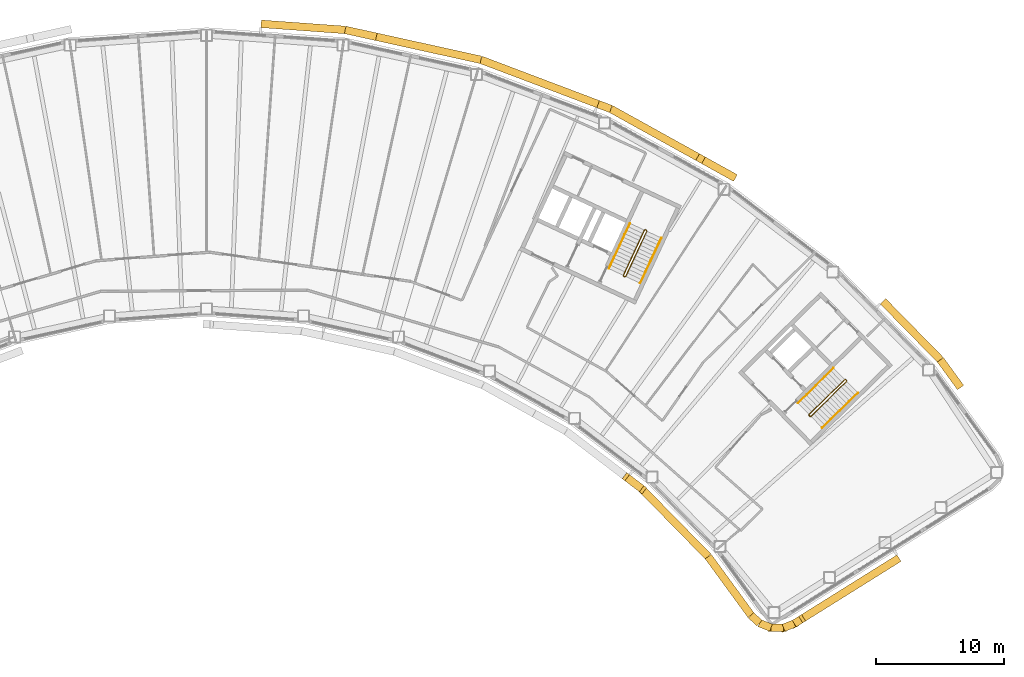
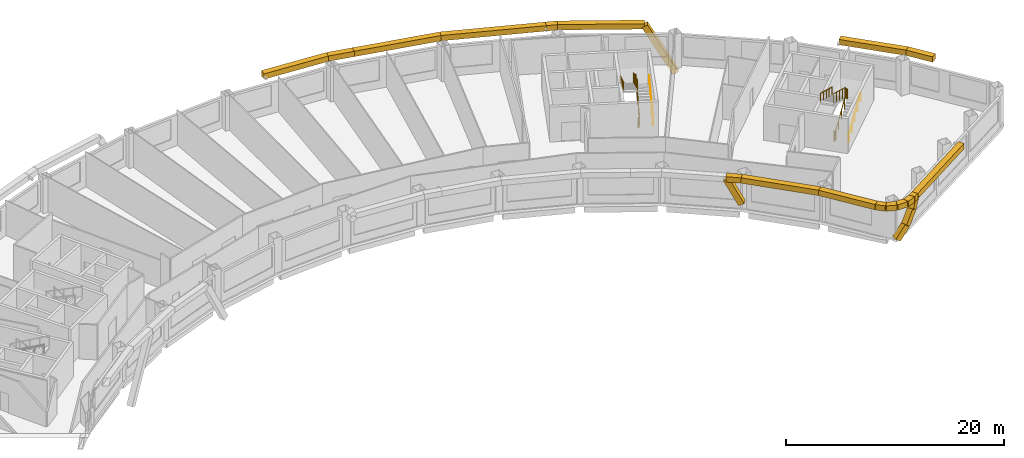
# One storey, part 15 of 16: 22 coverings, 6 railings.
"""IFC4 building model written with IfcOpenShell, lengths in metres."""

from ifc_helpers import new_model, si_unit, direction, frame, origin, origin_2d, place, context, subcontext, project, spatial, rectangle, circle, extrude, material, material_profile, profile_set, type_object, element, save


model = new_model("IFC4")

# Units and contexts
model_context = context("Model", 3, precision=1e-05, world=origin(), true_north=direction((0.0, 1.0)))
body_context = subcontext(model_context, "Body", "Model", "MODEL_VIEW")
ifc_project = project(units=[si_unit("LENGTHUNIT", "METRE"), si_unit("AREAUNIT", "SQUARE_METRE"), si_unit("VOLUMEUNIT", "CUBIC_METRE"), si_unit("PLANEANGLEUNIT", "RADIAN"), si_unit("MASSUNIT", "GRAM", prefix="KILO")], contexts=[model_context])

# Site, building, storey
site_placement = place(None, origin())
site = spatial("IfcSite", under=ifc_project, at=site_placement, CompositionType="ELEMENT")
building_placement = place(site_placement, origin())
building = spatial("IfcBuilding", under=site, at=building_placement, Name="Tuul Gate Civic Tower", CompositionType="ELEMENT")
storey_placement = place(building_placement, frame((0.0, 0.0, 184.699951171875)))
storey = spatial("IfcBuildingStorey", under=building, at=storey_placement, Name="Level 42", CompositionType="ELEMENT", Elevation=184.699951171875)

# Railings
ifc_material_1 = material(Name="Painted steel", Category="steel")
railing_type_1 = type_object("IfcRailingType", Name="Stair guard", PredefinedType="GUARDRAIL", material=ifc_material_1)
railing_1_placement = place(storey_placement, frame((48.10546875, -16.134765625, 0.0)))
element("IfcRailing", 1, at=railing_1_placement, inside=storey, type_object=railing_type_1, Name="Level 42 ST-3 stair guard 1", PredefinedType="GUARDRAIL", context=body_context, shape_type="SweptSolid", body=[
    extrude(circle(Radius=0.02392578125, at=origin_2d()), frame((0.0, 0.0, 1.076171875), z_axis=(-0.698506948293, 0.715603272202, 0.0), x_axis=(-0.715603272202, -0.698506948293, 0.0)), (0.0, 0.0, 1.0), 0.099853515625),
    extrude(circle(Radius=0.02392578125, at=origin_2d()), frame((-0.06982421875, 0.071533203125, 1.076171875), z_axis=(0.644948864628, -0.331432055434, 0.688617277337), x_axis=(0.457068866502, 0.889431307788, 0.0)), (0.0, 0.0, 1.0), 0.218017578125),
    extrude(circle(Radius=0.02392578125, at=origin_2d()), frame((0.07080078125, -0.000732421875, 1.22607421875), z_axis=(0.638731261263, 0.626133563701, 0.447190268558), x_axis=(-0.700029477518, 0.714113947914, 0.0)), (0.0, 0.0, 1.0), 4.3603515625),
    extrude(circle(Radius=0.02392578125, at=origin_2d()), frame((2.85595703125, 2.7294921875, 3.17626953125), z_axis=(0.010380063588, 0.999946125689, 0.0), x_axis=(-0.999946125689, 0.010380063588, 0.0)), (0.0, 0.0, 1.0), 0.070556640625),
    extrude(circle(Radius=0.02392578125, at=origin_2d()), frame((2.856689453125, 2.800048828125, 3.17626953125), z_axis=(-0.699754442181, 0.714383454909, 0.0), x_axis=(-0.714383454909, -0.699754442181, 0.0)), (0.0, 0.0, 1.0), 0.10009765625),
    extrude(circle(Radius=0.02392578125, at=origin_2d()), frame((2.78662109375, 2.87158203125, 3.17626953125), z_axis=(-0.427069033481, 0.004417955519, 0.904208229508), x_axis=(-0.010344274102, -0.999946496565, 0.0)), (0.0, 0.0, 1.0), 0.165771484375),
    extrude(circle(Radius=0.02392578125, at=origin_2d()), frame((2.7158203125, 2.872314453125, 3.326171875), z_axis=(-0.638731261263, -0.626133563701, 0.447190268558), x_axis=(0.700029477518, -0.714113947914, 0.0)), (0.0, 0.0, 1.0), 4.3603515625),
    extrude(circle(Radius=0.02099609375, at=origin_2d()), origin(), (0.0, 0.0, 1.0), 1.052001953125),
    extrude(circle(Radius=0.02099609375, at=origin_2d()), frame((-0.06982421875, 0.071533203125, 0.0)), (0.0, 0.0, 1.0), 1.052001953125),
    extrude(circle(Radius=0.02099609375, at=origin_2d()), frame((0.07080078125, -0.000732421875, 0.150146484375)), (0.0, 0.0, 1.0), 1.052001953125),
    extrude(circle(Radius=0.02099609375, at=origin_2d()), frame((0.76708984375, 0.681884765625, 0.6376953125)), (0.0, 0.0, 1.0), 1.052001953125),
    extrude(circle(Radius=0.02099609375, at=origin_2d()), frame((1.46337890625, 1.3642578125, 1.125)), (0.0, 0.0, 1.0), 1.052001953125),
    extrude(circle(Radius=0.02099609375, at=origin_2d()), frame((2.15966796875, 2.046875, 1.612548828125)), (0.0, 0.0, 1.0), 1.052001953125),
    extrude(circle(Radius=0.02099609375, at=origin_2d()), frame((2.85595703125, 2.7294921875, 2.10009765625)), (0.0, 0.0, 1.0), 1.052001953125),
    extrude(circle(Radius=0.02099609375, at=origin_2d()), frame((2.856689453125, 2.800048828125, 2.10009765625)), (0.0, 0.0, 1.0), 1.052001953125),
    extrude(circle(Radius=0.02099609375, at=origin_2d()), frame((2.78662109375, 2.87158203125, 2.10009765625)), (0.0, 0.0, 1.0), 1.052001953125),
    extrude(circle(Radius=0.02099609375, at=origin_2d()), frame((2.7158203125, 2.872314453125, 2.25)), (0.0, 0.0, 1.0), 1.052001953125),
    extrude(circle(Radius=0.02099609375, at=origin_2d()), frame((2.01953125, 2.189697265625, 2.737548828125)), (0.0, 0.0, 1.0), 1.052001953125),
    extrude(circle(Radius=0.02099609375, at=origin_2d()), frame((1.3232421875, 1.50732421875, 3.22509765625)), (0.0, 0.0, 1.0), 1.052001953125),
    extrude(circle(Radius=0.02099609375, at=origin_2d()), frame((0.626953125, 0.82470703125, 3.71240234375)), (0.0, 0.0, 1.0), 1.052001953125),
    extrude(circle(Radius=0.02099609375, at=origin_2d()), frame((-0.0693359375, 0.14208984375, 4.199951171875)), (0.0, 0.0, 1.0), 1.052001953125),
])
railing_2_placement = place(storey_placement, frame((33.645751953125, -5.238525390625, 0.0)))
element("IfcRailing", 2, at=railing_2_placement, inside=storey, type_object=railing_type_1, Name="Level 42 ST-4 stair guard 1", PredefinedType="GUARDRAIL", context=body_context, shape_type="SweptSolid", body=[
    extrude(circle(Radius=0.02392578125, at=origin_2d()), frame((0.0, 0.0, 1.076171875), z_axis=(-0.906307919131, 0.422617978463, 0.0), x_axis=(-0.422617978463, -0.906307919131, 0.0)), (0.0, 0.0, 1.0), 0.099853515625),
    extrude(circle(Radius=0.02392578125, at=origin_2d()), frame((-0.090576171875, 0.042236328125, 1.076171875), z_axis=(0.720179819621, -0.082882280952, 0.688818956559), x_axis=(0.114330889033, 0.993442724979, 0.0)), (0.0, 0.0, 1.0), 0.218017578125),
    extrude(circle(Radius=0.02392578125, at=origin_2d()), frame((0.06640625, 0.024169921875, 1.22607421875), z_axis=(0.377946903738, 0.810654114417, 0.447209173356), x_axis=(-0.906336612539, 0.422556439746, 0.0)), (0.0, 0.0, 1.0), 4.3603515625),
    extrude(circle(Radius=0.02392578125, at=origin_2d()), frame((1.71435546875, 3.558837890625, 3.17626953125), z_axis=(-0.342020437038, 0.939692513883, 0.0), x_axis=(-0.939692513883, -0.342020437038, 0.0)), (0.0, 0.0, 1.0), 0.070556640625),
    extrude(circle(Radius=0.02392578125, at=origin_2d()), frame((1.690185546875, 3.625244140625, 3.17626953125), z_axis=(-0.906307919131, 0.422617978463, 0.0), x_axis=(-0.422617978463, -0.906307919131, 0.0)), (0.0, 0.0, 1.0), 0.099853515625),
    extrude(circle(Radius=0.02392578125, at=origin_2d()), frame((1.599609375, 3.66748046875, 3.17626953125), z_axis=(-0.40070210376, -0.145843780413, 0.904526072458), x_axis=(0.342020437038, -0.939692513883, 0.0)), (0.0, 0.0, 1.0), 0.165771484375),
    extrude(circle(Radius=0.02392578125, at=origin_2d()), frame((1.533203125, 3.643310546875, 3.326171875), z_axis=(-0.377946903738, -0.810654114417, 0.447209173356), x_axis=(0.906336612539, -0.422556439746, 0.0)), (0.0, 0.0, 1.0), 4.3603515625),
    extrude(circle(Radius=0.02099609375, at=origin_2d()), origin(), (0.0, 0.0, 1.0), 1.052001953125),
    extrude(circle(Radius=0.02099609375, at=origin_2d()), frame((-0.090576171875, 0.042236328125, 0.0)), (0.0, 0.0, 1.0), 1.052001953125),
    extrude(circle(Radius=0.02099609375, at=origin_2d()), frame((0.06640625, 0.024169921875, 0.150146484375)), (0.0, 0.0, 1.0), 1.052001953125),
    extrude(circle(Radius=0.02099609375, at=origin_2d()), frame((0.478515625, 0.90771484375, 0.6376953125)), (0.0, 0.0, 1.0), 1.052001953125),
    extrude(circle(Radius=0.02099609375, at=origin_2d()), frame((0.890380859375, 1.79150390625, 1.125)), (0.0, 0.0, 1.0), 1.052001953125),
    extrude(circle(Radius=0.02099609375, at=origin_2d()), frame((1.30224609375, 2.67529296875, 1.612548828125)), (0.0, 0.0, 1.0), 1.052001953125),
    extrude(circle(Radius=0.02099609375, at=origin_2d()), frame((1.71435546875, 3.558837890625, 2.10009765625)), (0.0, 0.0, 1.0), 1.052001953125),
    extrude(circle(Radius=0.02099609375, at=origin_2d()), frame((1.690185546875, 3.625244140625, 2.10009765625)), (0.0, 0.0, 1.0), 1.052001953125),
    extrude(circle(Radius=0.02099609375, at=origin_2d()), frame((1.599609375, 3.66748046875, 2.10009765625)), (0.0, 0.0, 1.0), 1.052001953125),
    extrude(circle(Radius=0.02099609375, at=origin_2d()), frame((1.533203125, 3.643310546875, 2.25)), (0.0, 0.0, 1.0), 1.052001953125),
    extrude(circle(Radius=0.02099609375, at=origin_2d()), frame((1.12109375, 2.759765625, 2.737548828125)), (0.0, 0.0, 1.0), 1.052001953125),
    extrude(circle(Radius=0.02099609375, at=origin_2d()), frame((0.709228515625, 1.8759765625, 3.22509765625)), (0.0, 0.0, 1.0), 1.052001953125),
    extrude(circle(Radius=0.02099609375, at=origin_2d()), frame((0.29736328125, 0.9921875, 3.71240234375)), (0.0, 0.0, 1.0), 1.052001953125),
    extrude(circle(Radius=0.02099609375, at=origin_2d()), frame((-0.11474609375, 0.108642578125, 4.199951171875)), (0.0, 0.0, 1.0), 1.052001953125),
])
ifc_material_2 = material(Name="Painted steel", Category="steel")
railing_type_2 = type_object("IfcRailingType", Name="Stair handrail", PredefinedType="HANDRAIL", material=ifc_material_2)
railing_3_placement = place(storey_placement, frame((49.05126953125, -17.028076171875, 0.150146484375)))
element("IfcRailing", 3, at=railing_3_placement, inside=storey, type_object=railing_type_2, Name="Level 42 ST-3 stair handrail 1", PredefinedType="HANDRAIL", context=body_context, shape_type="SweptSolid", body=[
    extrude(circle(Radius=0.02392578125, at=origin_2d()), frame((0.0, 0.0, 0.8759765625), z_axis=(0.638753653487, 0.626099522554, 0.447205945863), x_axis=(-0.699997553204, 0.714145241186, 0.0)), (0.0, 0.0, 1.0), 4.3603515625),
    extrude(circle(Radius=0.02099609375, at=origin_2d()), origin(), (0.0, 0.0, 1.0), 0.851806640625),
    extrude(circle(Radius=0.02099609375, at=origin_2d()), frame((0.6962890625, 0.6826171875, 0.487548828125)), (0.0, 0.0, 1.0), 0.851806640625),
    extrude(circle(Radius=0.02099609375, at=origin_2d()), frame((1.392578125, 1.364990234375, 0.97509765625)), (0.0, 0.0, 1.0), 0.851806640625),
    extrude(circle(Radius=0.02099609375, at=origin_2d()), frame((2.0888671875, 2.04736328125, 1.46240234375)), (0.0, 0.0, 1.0), 0.851806640625),
    extrude(circle(Radius=0.02099609375, at=origin_2d()), frame((2.78515625, 2.72998046875, 1.949951171875)), (0.0, 0.0, 1.0), 0.851806640625),
])
railing_4_placement = place(storey_placement, frame((49.9462890625, -12.369873046875, 2.25)))
element("IfcRailing", 4, at=railing_4_placement, inside=storey, type_object=railing_type_2, Name="Level 42 ST-3 stair handrail 2", PredefinedType="HANDRAIL", context=body_context, shape_type="SweptSolid", body=[
    extrude(circle(Radius=0.02392578125, at=origin_2d()), frame((0.0, 0.0, 0.8759765625), z_axis=(-0.638753653487, -0.626099522554, 0.447205945863), x_axis=(0.699997553204, -0.714145241186, 0.0)), (0.0, 0.0, 1.0), 4.3603515625),
    extrude(circle(Radius=0.02099609375, at=origin_2d()), origin(), (0.0, 0.0, 1.0), 0.851806640625),
    extrude(circle(Radius=0.02099609375, at=origin_2d()), frame((-0.6962890625, -0.6826171875, 0.487548828125)), (0.0, 0.0, 1.0), 0.851806640625),
    extrude(circle(Radius=0.02099609375, at=origin_2d()), frame((-1.392578125, -1.364990234375, 0.97509765625)), (0.0, 0.0, 1.0), 0.851806640625),
    extrude(circle(Radius=0.02099609375, at=origin_2d()), frame((-2.0888671875, -2.04736328125, 1.46240234375)), (0.0, 0.0, 1.0), 0.851806640625),
    extrude(circle(Radius=0.02099609375, at=origin_2d()), frame((-2.78515625, -2.72998046875, 1.949951171875)), (0.0, 0.0, 1.0), 0.851806640625),
])
railing_5_placement = place(storey_placement, frame((34.844970703125, -5.74267578125, 0.150146484375)))
element("IfcRailing", 5, at=railing_5_placement, inside=storey, type_object=railing_type_2, Name="Level 42 ST-4 stair handrail 1", PredefinedType="HANDRAIL", context=body_context, shape_type="SweptSolid", body=[
    extrude(circle(Radius=0.02392578125, at=origin_2d()), frame((0.0, 0.0, 0.8759765625), z_axis=(0.377994896215, 0.810636958585, 0.447199709091), x_axis=(-0.906312636903, 0.422607861012, 0.0)), (0.0, 0.0, 1.0), 4.3603515625),
    extrude(circle(Radius=0.02099609375, at=origin_2d()), origin(), (0.0, 0.0, 1.0), 0.851806640625),
    extrude(circle(Radius=0.02099609375, at=origin_2d()), frame((0.412109375, 0.8837890625, 0.487548828125)), (0.0, 0.0, 1.0), 0.851806640625),
    extrude(circle(Radius=0.02099609375, at=origin_2d()), frame((0.82421875, 1.767333984375, 0.97509765625)), (0.0, 0.0, 1.0), 0.851806640625),
    extrude(circle(Radius=0.02099609375, at=origin_2d()), frame((1.236083984375, 2.65087890625, 1.46240234375)), (0.0, 0.0, 1.0), 0.851806640625),
    extrude(circle(Radius=0.02099609375, at=origin_2d()), frame((1.648193359375, 3.53466796875, 1.949951171875)), (0.0, 0.0, 1.0), 0.851806640625),
])
railing_6_placement = place(storey_placement, frame((34.046142578125, -1.06689453125, 2.25)))
element("IfcRailing", 6, at=railing_6_placement, inside=storey, type_object=railing_type_2, Name="Level 42 ST-4 stair handrail 2", PredefinedType="HANDRAIL", context=body_context, shape_type="SweptSolid", body=[
    extrude(circle(Radius=0.02392578125, at=origin_2d()), frame((0.0, 0.0, 0.8759765625), z_axis=(-0.377994896215, -0.810636958585, 0.447199709091), x_axis=(0.906312636903, -0.422607861012, 0.0)), (0.0, 0.0, 1.0), 4.3603515625),
    extrude(circle(Radius=0.02099609375, at=origin_2d()), origin(), (0.0, 0.0, 1.0), 0.851806640625),
    extrude(circle(Radius=0.02099609375, at=origin_2d()), frame((-0.412109375, -0.8837890625, 0.487548828125)), (0.0, 0.0, 1.0), 0.851806640625),
    extrude(circle(Radius=0.02099609375, at=origin_2d()), frame((-0.82421875, -1.767333984375, 0.97509765625)), (0.0, 0.0, 1.0), 0.851806640625),
    extrude(circle(Radius=0.02099609375, at=origin_2d()), frame((-1.236083984375, -2.65087890625, 1.46240234375)), (0.0, 0.0, 1.0), 0.851806640625),
    extrude(circle(Radius=0.02099609375, at=origin_2d()), frame((-1.648193359375, -3.53466796875, 1.949951171875)), (0.0, 0.0, 1.0), 0.851806640625),
])

# Coverings
ifc_material_3 = material(Name="Terracotta baguette", Category="masonry")
ifc_material_profile = material_profile(ifc_material_3, rectangle(XDim=0.60009765625, YDim=0.60009765625, at=origin_2d()), Name="Terracotta baguette screen frame")
ifc_profile_set = profile_set([ifc_material_profile], Name="Terracotta baguette")
covering_type = type_object("IfcCoveringType", Name="Terracotta baguette screen frame", PredefinedType="CLADDING", material=ifc_profile_set)
covering_1_placement = place(storey_placement, frame((59.860595703125, -13.88671875, 3.85009765625), z_axis=(-0.58975169847, 0.807584629715, 0.0), x_axis=(-0.807584629715, -0.58975169847, 0.0)))
element("IfcCovering", 7, at=covering_1_placement, inside=storey, type_object=covering_type, Name="Baguette 23", PredefinedType="CLADDING", context=body_context, shape_type="SweptSolid", body=[
    extrude(rectangle(XDim=0.60009765625, YDim=0.60009765625, at=origin_2d()), origin(), (0.0, 0.0, 1.0), 2.680908203125),
])
covering_2_placement = place(storey_placement, frame((58.279541015625, -11.7216796875, 3.85009765625), z_axis=(-0.700039399016, 0.714104221963, 0.0), x_axis=(-0.714104221963, -0.700039399016, 0.0)))
element("IfcCovering", 8, at=covering_2_placement, inside=storey, type_object=covering_type, Name="Baguette 24", PredefinedType="CLADDING", context=body_context, shape_type="SweptSolid", body=[
    extrude(rectangle(XDim=0.60009765625, YDim=0.60009765625, at=origin_2d()), origin(), (0.0, 0.0, 1.0), 6.4052734375),
])
covering_3_placement = place(storey_placement, frame((42.050048828125, 2.6005859375, -1.423583984375), z_axis=(-0.415607388071, 0.230349875482, 0.879891717114), x_axis=(-0.484769274332, -0.874642070028, 0.0)))
element("IfcCovering", 9, at=covering_3_placement, inside=storey, type_object=covering_type, Name="Baguette 40", PredefinedType="CLADDING", context=body_context, shape_type="SweptSolid", body=[
    extrude(rectangle(XDim=0.60009765625, YDim=0.60009765625, at=origin_2d()), origin(), (0.0, 0.0, 1.0), 5.99365234375),
])
covering_4_placement = place(storey_placement, frame((39.55908203125, 3.981201171875, 3.85009765625), z_axis=(-0.874621635981, 0.484806140508, 0.0), x_axis=(-0.484806140508, -0.874621635981, 0.0)))
element("IfcCovering", 10, at=covering_4_placement, inside=storey, type_object=covering_type, Name="Baguette 47", PredefinedType="CLADDING", context=body_context, shape_type="SweptSolid", body=[
    extrude(rectangle(XDim=0.60009765625, YDim=0.60009765625, at=origin_2d()), origin(), (0.0, 0.0, 1.0), 8.00341796875),
])
covering_5_placement = place(storey_placement, frame((32.55908203125, 7.861328125, 3.85009765625), z_axis=(-0.935320988118, 0.353800295628, 0.0), x_axis=(-0.353800295628, -0.935320988118, 0.0)))
element("IfcCovering", 11, at=covering_5_placement, inside=storey, type_object=covering_type, Name="Baguette 48", PredefinedType="CLADDING", context=body_context, shape_type="SweptSolid", body=[
    extrude(rectangle(XDim=0.60009765625, YDim=0.60009765625, at=origin_2d()), origin(), (0.0, 0.0, 1.0), 1.06884765625),
])
covering_6_placement = place(storey_placement, frame((14.242919921875, 13.49951171875, 3.85009765625), z_axis=(-0.976564116236, 0.215226687194, 0.0), x_axis=(-0.215226687194, -0.976564116236, 0.0)))
element("IfcCovering", 12, at=covering_6_placement, inside=storey, type_object=covering_type, Name="Baguette 65", PredefinedType="CLADDING", context=body_context, shape_type="SweptSolid", body=[
    extrude(rectangle(XDim=0.60009765625, YDim=0.60009765625, at=origin_2d()), origin(), (0.0, 0.0, 1.0), 2.48876953125),
])
covering_7_placement = place(storey_placement, frame((11.8125, 14.03515625, 3.85009765625), z_axis=(-0.997387623225, 0.072235234043, 0.0), x_axis=(-0.072235234043, -0.997387623225, 0.0)))
element("IfcCovering", 13, at=covering_7_placement, inside=storey, type_object=covering_type, Name="Baguette 66", PredefinedType="CLADDING", context=body_context, shape_type="SweptSolid", body=[
    extrude(rectangle(XDim=0.60009765625, YDim=0.60009765625, at=origin_2d()), origin(), (0.0, 0.0, 1.0), 6.583740234375),
])
covering_8_placement = place(storey_placement, frame((33.831298828125, -20.929931640625, 3.85009765625), z_axis=(0.370864739668, -0.282418510943, -0.884702848163), x_axis=(0.60584625249, 0.795581748372, 0.0)))
element("IfcCovering", 14, at=covering_8_placement, inside=storey, type_object=covering_type, Name="Baguette 246", PredefinedType="CLADDING", context=body_context, shape_type="SweptSolid", body=[
    extrude(rectangle(XDim=0.60009765625, YDim=0.60009765625, at=origin_2d()), origin(), (0.0, 0.0, 1.0), 3.044677734375),
])
covering_9_placement = place(storey_placement, frame((45.061279296875, -32.642578125, 0.177978515625), z_axis=(0.602776502716, -0.001813770821, 0.797908013501), x_axis=(0.003009013459, 0.999995472909, 0.0)))
element("IfcCovering", 15, at=covering_9_placement, inside=storey, type_object=covering_type, Name="Baguette 267", PredefinedType="CLADDING", context=body_context, shape_type="SweptSolid", body=[
    extrude(rectangle(XDim=0.60009765625, YDim=0.60009765625, at=origin_2d()), origin(), (0.0, 0.0, 1.0), 1.615234375),
])
covering_10_placement = place(storey_placement, frame((46.034912109375, -32.6455078125, 1.466796875), z_axis=(0.534010599825, 0.208015756909, 0.819488940836), x_axis=(-0.362969067807, 0.931801188997, 0.0)))
element("IfcCovering", 16, at=covering_10_placement, inside=storey, type_object=covering_type, Name="Baguette 268", PredefinedType="CLADDING", context=body_context, shape_type="SweptSolid", body=[
    extrude(rectangle(XDim=0.60009765625, YDim=0.60009765625, at=origin_2d()), origin(), (0.0, 0.0, 1.0), 1.57275390625),
])
covering_11_placement = place(storey_placement, frame((46.874755859375, -32.318359375, 2.755615234375), z_axis=(0.402352266006, 0.251347438013, 0.880305128603), x_axis=(-0.52981289744, 0.848114552231, 0.0)))
element("IfcCovering", 17, at=covering_11_placement, inside=storey, type_object=covering_type, Name="Baguette 269", PredefinedType="CLADDING", context=body_context, shape_type="SweptSolid", body=[
    extrude(rectangle(XDim=0.60009765625, YDim=0.60009765625, at=origin_2d()), origin(), (0.0, 0.0, 1.0), 1.243408203125),
])
covering_12_placement = place(storey_placement, frame((47.375, -32.005859375, 3.85009765625), z_axis=(0.848051326016, 0.529914095342, 0.0), x_axis=(-0.529914095342, 0.848051326016, 0.0)))
element("IfcCovering", 18, at=covering_12_placement, inside=storey, type_object=covering_type, Name="Baguette 283", PredefinedType="CLADDING", context=body_context, shape_type="SweptSolid", body=[
    extrude(rectangle(XDim=0.60009765625, YDim=0.60009765625, at=origin_2d()), origin(), (0.0, 0.0, 1.0), 9.052978515625),
])
covering_13_placement = place(storey_placement, frame((31.559326171875, 8.239501953125, 3.85009765625), z_axis=(-0.935351210517, 0.353720388138, 0.0), x_axis=(-0.353720388138, -0.935351210517, 0.0)))
element("IfcCovering", 19, at=covering_13_placement, inside=storey, type_object=covering_type, Name="Baguette 294", PredefinedType="CLADDING", context=body_context, shape_type="SweptSolid", body=[
    extrude(rectangle(XDim=0.60009765625, YDim=0.60009765625, at=origin_2d()), origin(), (0.0, 0.0, 1.0), 9.7822265625),
])
covering_14_placement = place(storey_placement, frame((22.409423828125, 11.69970703125, 3.85009765625), z_axis=(-0.976564757284, 0.215223778496, 0.0), x_axis=(-0.215223778496, -0.976564757284, 0.0)))
element("IfcCovering", 20, at=covering_14_placement, inside=storey, type_object=covering_type, Name="Baguette 295", PredefinedType="CLADDING", context=body_context, shape_type="SweptSolid", body=[
    extrude(rectangle(XDim=0.60009765625, YDim=0.60009765625, at=origin_2d()), origin(), (0.0, 0.0, 1.0), 8.362548828125),
])
covering_15_placement = place(storey_placement, frame((33.831298828125, -20.929931640625, 3.85009765625), z_axis=(0.795581748372, -0.60584625249, 0.0), x_axis=(0.60584625249, 0.795581748372, 0.0)))
element("IfcCovering", 21, at=covering_15_placement, inside=storey, type_object=covering_type, Name="Baguette 349", PredefinedType="CLADDING", context=body_context, shape_type="SweptSolid", body=[
    extrude(rectangle(XDim=0.60009765625, YDim=0.60009765625, at=origin_2d()), origin(), (0.0, 0.0, 1.0), 1.419189453125),
])
covering_16_placement = place(storey_placement, frame((34.96044921875, -21.789794921875, 3.85009765625), z_axis=(0.700094446295, -0.714050254721, 0.0), x_axis=(0.714050254721, 0.700094446295, 0.0)))
element("IfcCovering", 22, at=covering_16_placement, inside=storey, type_object=covering_type, Name="Baguette 350", PredefinedType="CLADDING", context=body_context, shape_type="SweptSolid", body=[
    extrude(rectangle(XDim=0.60009765625, YDim=0.60009765625, at=origin_2d()), origin(), (0.0, 0.0, 1.0), 7.41748046875),
])
covering_17_placement = place(storey_placement, frame((40.1533203125, -27.086181640625, 3.85009765625), z_axis=(0.589729447422, -0.807600878432, 0.0), x_axis=(0.807600878432, 0.589729447422, 0.0)))
element("IfcCovering", 23, at=covering_17_placement, inside=storey, type_object=covering_type, Name="Baguette 351", PredefinedType="CLADDING", context=body_context, shape_type="SweptSolid", body=[
    extrude(rectangle(XDim=0.60009765625, YDim=0.60009765625, at=origin_2d()), origin(), (0.0, 0.0, 1.0), 5.671142578125),
])
covering_18_placement = place(storey_placement, frame((43.497802734375, -31.666259765625, 3.85009765625), z_axis=(0.730009901199, -0.683436569223, 0.0), x_axis=(0.683436569223, 0.730009901199, 0.0)))
element("IfcCovering", 24, at=covering_18_placement, inside=storey, type_object=covering_type, Name="Baguette 352", PredefinedType="CLADDING", context=body_context, shape_type="SweptSolid", body=[
    extrude(rectangle(XDim=0.60009765625, YDim=0.60009765625, at=origin_2d()), origin(), (0.0, 0.0, 1.0), 0.901611328125),
])
covering_19_placement = place(storey_placement, frame((44.156005859375, -32.282470703125, 3.85009765625), z_axis=(0.929183562745, -0.369618596292, 0.0), x_axis=(0.369618596292, 0.929183562745, 0.0)))
element("IfcCovering", 25, at=covering_19_placement, inside=storey, type_object=covering_type, Name="Baguette 353", PredefinedType="CLADDING", context=body_context, shape_type="SweptSolid", body=[
    extrude(rectangle(XDim=0.60009765625, YDim=0.60009765625, at=origin_2d()), origin(), (0.0, 0.0, 1.0), 0.974365234375),
])
covering_20_placement = place(storey_placement, frame((45.061279296875, -32.642578125, 3.85009765625), z_axis=(0.999995472909, -0.003009013459, 0.0), x_axis=(0.003009013459, 0.999995472909, 0.0)))
element("IfcCovering", 26, at=covering_20_placement, inside=storey, type_object=covering_type, Name="Baguette 354", PredefinedType="CLADDING", context=body_context, shape_type="SweptSolid", body=[
    extrude(rectangle(XDim=0.60009765625, YDim=0.60009765625, at=origin_2d()), origin(), (0.0, 0.0, 1.0), 0.9736328125),
])
covering_21_placement = place(storey_placement, frame((46.034912109375, -32.6455078125, 3.85009765625), z_axis=(0.931801188997, 0.362969067807, 0.0), x_axis=(-0.362969067807, 0.931801188997, 0.0)))
element("IfcCovering", 27, at=covering_21_placement, inside=storey, type_object=covering_type, Name="Baguette 355", PredefinedType="CLADDING", context=body_context, shape_type="SweptSolid", body=[
    extrude(rectangle(XDim=0.60009765625, YDim=0.60009765625, at=origin_2d()), origin(), (0.0, 0.0, 1.0), 0.9013671875),
])
covering_22_placement = place(storey_placement, frame((46.874755859375, -32.318359375, 3.85009765625), z_axis=(0.848114552231, 0.52981289744, 0.0), x_axis=(-0.52981289744, 0.848114552231, 0.0)))
element("IfcCovering", 28, at=covering_22_placement, inside=storey, type_object=covering_type, Name="Baguette 356", PredefinedType="CLADDING", context=body_context, shape_type="SweptSolid", body=[
    extrude(rectangle(XDim=0.60009765625, YDim=0.60009765625, at=origin_2d()), origin(), (0.0, 0.0, 1.0), 0.58984375),
])

save(model, "model.ifc")
